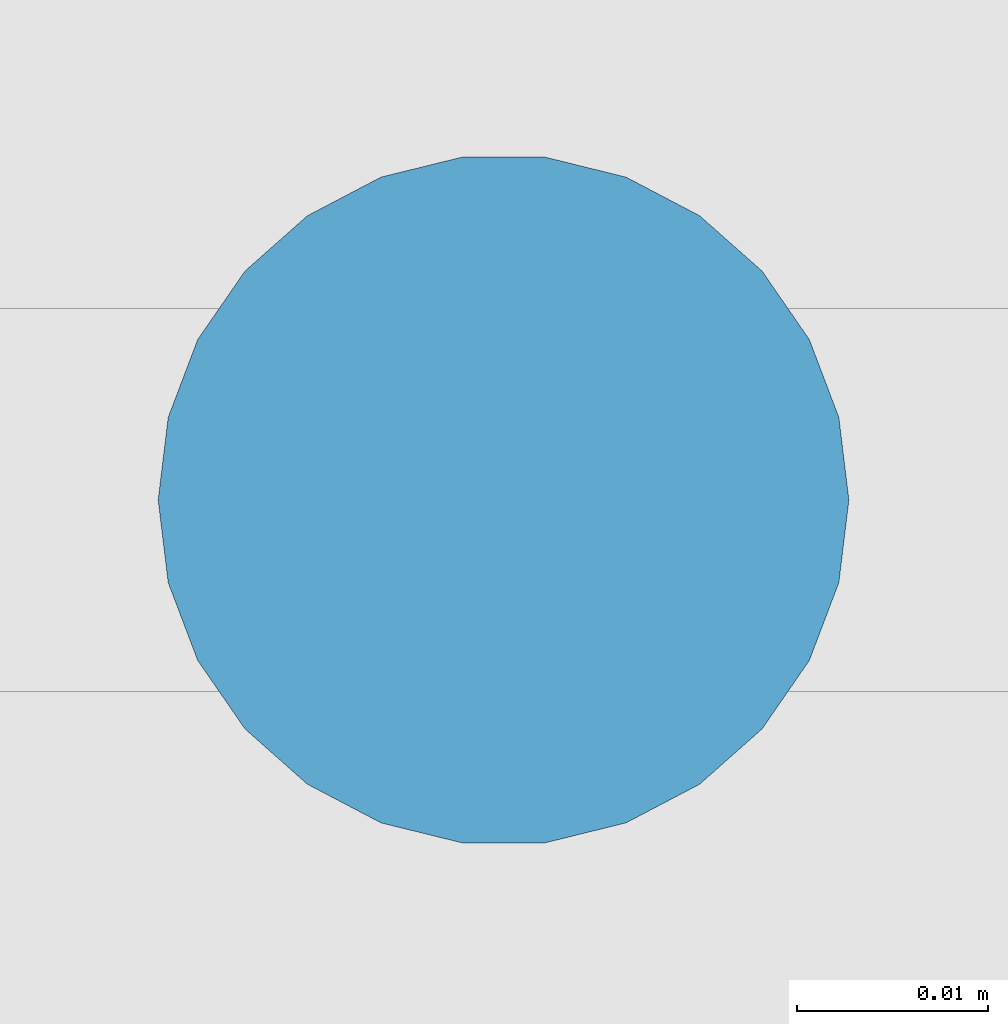
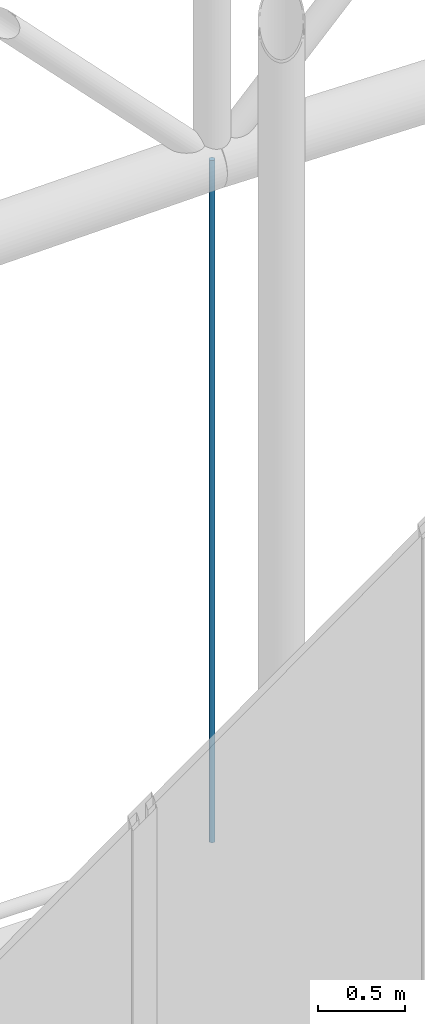
# One storey, part 182 of 321: 1 member.
"""IFC4 building model written with IfcOpenShell, lengths in metres."""

from ifc_helpers import new_model, si_unit, direction, frame, origin, origin_2d, place, context, subcontext, project, spatial, circle, extrude, material, material_profile, profile_set, type_object, element, save


model = new_model("IFC4")

# Units and contexts
model_context = context("Model", 3, precision=1e-05, world=origin(), true_north=direction((0.0, 1.0)))
body_context = subcontext(model_context, "Body", "Model", "MODEL_VIEW")
ifc_project = project(units=[si_unit("LENGTHUNIT", "METRE"), si_unit("AREAUNIT", "SQUARE_METRE"), si_unit("VOLUMEUNIT", "CUBIC_METRE"), si_unit("PLANEANGLEUNIT", "RADIAN"), si_unit("MASSUNIT", "GRAM", prefix="KILO")], contexts=[model_context])

# Site, building, storey
site_placement = place(None, origin())
site = spatial("IfcSite", under=ifc_project, at=site_placement, CompositionType="ELEMENT")
building_placement = place(site_placement, origin())
building = spatial("IfcBuilding", under=site, at=building_placement, Name="Ravi Spectrum Wholesale Market", CompositionType="ELEMENT")
storey_placement = place(building_placement, frame((0.0, 0.0, 10.800048828125)))
storey = spatial("IfcBuildingStorey", under=building, at=storey_placement, Name="L02", CompositionType="ELEMENT", Elevation=10.800048828125)

# Member
ifc_material = material(Name="Steel S355", Category="steel")
ifc_material_profile = material_profile(ifc_material, circle(Radius=0.01806640625, at=origin_2d()))
ifc_profile_set = profile_set([ifc_material_profile], Name="Steel S355")
member_type = type_object("IfcMemberType", Name="ROD 36 hanger", PredefinedType="STRUT", material=ifc_profile_set)
member_placement = place(storey_placement, frame((70.0, 198.0, 0.0), z_axis=(0.0, 0.0, 1.0), x_axis=(1.0, 0.0, 0.0)))
element("IfcMember", 1, at=member_placement, inside=storey, type_object=member_type, Name="H1-MB-L02-1231", PredefinedType="STRUT", context=body_context, shape_type="SweptSolid", body=[
    extrude(circle(Radius=0.01806640625, at=origin_2d()), origin(), (0.0, 0.0, 1.0), 4.800048828125),
])

save(model, "model.ifc")
